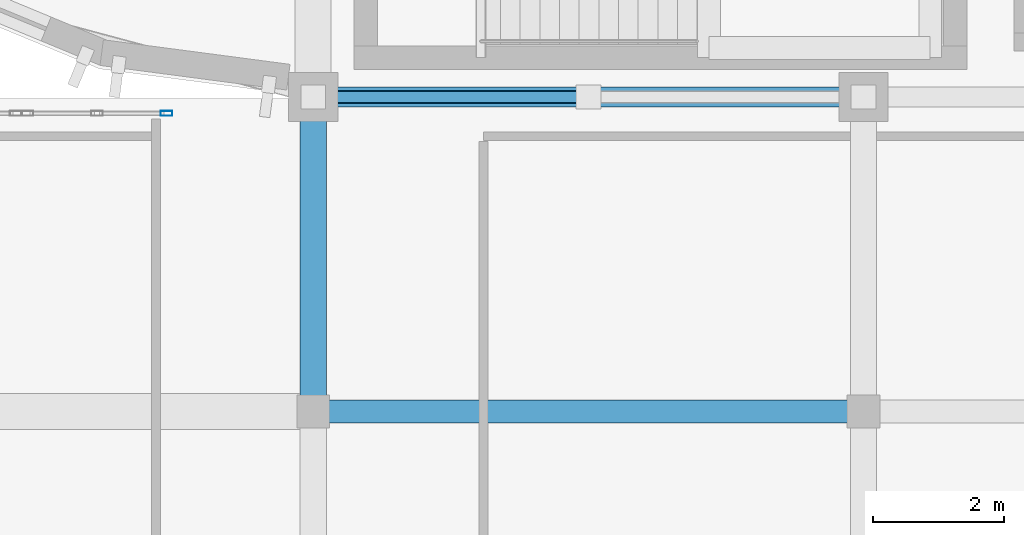
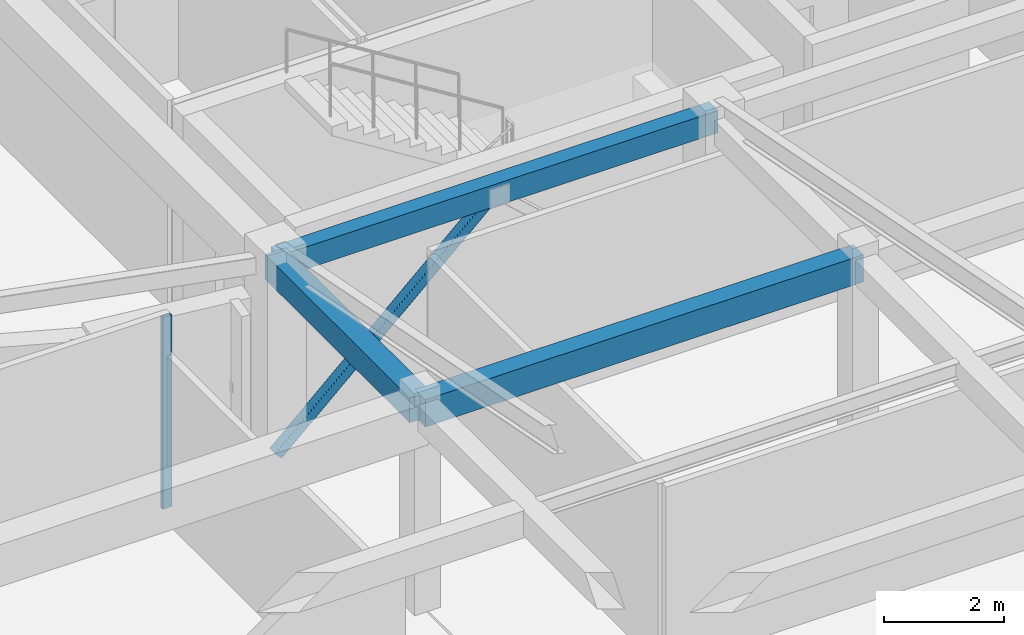
# One storey, part 38 of 91: 3 beams, 2 members, 1 element without a shape of its own.
"""IFC4 building model written with IfcOpenShell, lengths in metres."""

from ifc_helpers import new_model, si_unit, direction, frame, origin, origin_2d, place, context, subcontext, project, spatial, rectangle, hollow_rectangle, extrude, material, layer, layer_set, material_profile, profile_set, type_object, element, aggregate, save


model = new_model("IFC4")

# Units and contexts
model_context = context("Model", 3, precision=1e-05, world=origin(), true_north=direction((0.0, 1.0)))
body_context = subcontext(model_context, "Body", "Model", "MODEL_VIEW")
ifc_project = project(units=[si_unit("LENGTHUNIT", "METRE"), si_unit("AREAUNIT", "SQUARE_METRE"), si_unit("VOLUMEUNIT", "CUBIC_METRE"), si_unit("PLANEANGLEUNIT", "RADIAN"), si_unit("MASSUNIT", "GRAM", prefix="KILO")], contexts=[model_context])

# Site, building, storey
site_placement = place(None, origin())
site = spatial("IfcSite", under=ifc_project, at=site_placement, CompositionType="ELEMENT")
building_placement = place(site_placement, origin())
building = spatial("IfcBuilding", under=site, at=building_placement, Name="Tarnavel Promenade Courthouse", CompositionType="ELEMENT")
storey_placement = place(building_placement, frame((0.0, 0.0, 9.89990234375)))
storey = spatial("IfcBuildingStorey", under=building, at=storey_placement, Name="L03", CompositionType="ELEMENT", Elevation=9.89990234375)

# Beams
ifc_material_1 = material(Name="Concrete C40/50", Category="concrete")
ifc_material_profile_1 = material_profile(ifc_material_1, rectangle(XDim=0.35009765625, YDim=0.550048828125, at=origin_2d()), Name="RC 350x550")
ifc_profile_set_1 = profile_set([ifc_material_profile_1], Name="Concrete C40/50")
beam_type_1 = type_object("IfcBeamType", Name="Concrete C40/50 BM-RC-350x550 (RC 350x550)", PredefinedType="BEAM", material=ifc_profile_set_1)
beam_1_placement = place(storey_placement, frame((58.800048828125, 74.39990234375, 3.97021484375), z_axis=(1.0, 0.0, 0.0), x_axis=(0.0, 1.0, 0.0)))
element("IfcBeam", 1, at=beam_1_placement, inside=storey, type_object=beam_type_1, Name="L03 Primary Longitudinal Beam 1617", PredefinedType="BEAM", context=body_context, shape_type="SweptSolid", body=[
    extrude(rectangle(XDim=0.35009765625, YDim=0.550048828125, at=origin_2d()), origin(), (0.0, 0.0, 1.0), 8.39990234375),
])
ifc_material_profile_2 = material_profile(ifc_material_1, rectangle(XDim=0.39990234375, YDim=0.5, at=origin_2d()), Name="RC 400x500")
ifc_profile_set_2 = profile_set([ifc_material_profile_2], Name="Concrete C40/50")
beam_type_2 = type_object("IfcBeamType", Name="Concrete C40/50 BM-RC-400x500 (RC 400x500)", PredefinedType="BEAM", material=ifc_profile_set_2)
beam_2_placement = place(storey_placement, frame((58.800048828125, 74.39990234375, 3.9951171875), z_axis=(0.0, 1.0, 0.0), x_axis=(-1.0, 0.0, 0.0)))
element("IfcBeam", 2, at=beam_2_placement, inside=storey, type_object=beam_type_2, Name="L03 Transverse Girder 1740", PredefinedType="BEAM", context=body_context, shape_type="SweptSolid", body=[
    extrude(rectangle(XDim=0.39990234375, YDim=0.5, at=origin_2d()), origin(), (0.0, 0.0, 1.0), 4.800048828125),
])
ifc_material_profile_3 = material_profile(ifc_material_1, rectangle(XDim=0.300048828125, YDim=0.449951171875, at=origin_2d()), Name="RC 300x450")
ifc_profile_set_3 = profile_set([ifc_material_profile_3], Name="Concrete C40/50")
beam_type_3 = type_object("IfcBeamType", Name="Concrete C40/50 BM-SP-300x450 (RC 300x450)", PredefinedType="SPANDREL", material=ifc_profile_set_3)
beam_3_placement = place(storey_placement, frame((58.800048828125, 79.199951171875, 4.02001953125), z_axis=(1.0, 0.0, 0.0), x_axis=(0.0, 1.0, 0.0)))
element("IfcBeam", 3, at=beam_3_placement, inside=storey, type_object=beam_type_3, Name="L03 Primary Longitudinal Beam 1628", PredefinedType="SPANDREL", context=body_context, shape_type="SweptSolid", body=[
    extrude(rectangle(XDim=0.300048828125, YDim=0.449951171875, at=origin_2d()), origin(), (0.0, 0.0, 1.0), 8.39990234375),
])

# Member
ifc_material_2 = material(Name="Steel S355J2", Category="steel")
ifc_material_profile_4 = material_profile(ifc_material_2, hollow_rectangle(XDim=0.199951171875, YDim=0.199951171875, WallThickness=0.012451171875, InnerFilletRadius=0.012451171875, OuterFilletRadius=0.02490234375, at=origin_2d()), Name="SHS 200x200x12.5")
ifc_profile_set_4 = profile_set([ifc_material_profile_4], Name="Steel S355J2")
member_type_1 = type_object("IfcMemberType", Name="Steel S355J2 MEM-BR-SHS200 (SHS 200x200x12.5)", PredefinedType="BRACE", material=ifc_profile_set_4)
member_1_placement = place(storey_placement, frame((58.800048828125, 79.199951171875, 0.14501953125), z_axis=(0.737141689437, 0.0, 0.675738210918), x_axis=(0.0, 1.0, 0.0)))
element("IfcMember", 4, at=member_1_placement, inside=storey, type_object=member_type_1, Name="L03 V5 Chevron Brace A 004", PredefinedType="BRACE", context=body_context, shape_type="SweptSolid", body=[
    extrude(hollow_rectangle(XDim=0.199951171875, YDim=0.199951171875, WallThickness=0.012451171875, InnerFilletRadius=0.012451171875, OuterFilletRadius=0.02490234375, at=origin_2d()), origin(), (0.0, 0.0, 1.0), 5.697509765625),
])

# Curtain wall, member
ifc_material_3 = material(Name="Thermally Broken Anodised Aluminium Curtain Wall System", Category="aluminium")
ifc_layer = layer(ifc_material_3, 0.2099609375)
ifc_layer_set = layer_set([ifc_layer], Name="Thermally Broken Anodised Aluminium Curtain Wall System")
curtain_wall_type = type_object("IfcCurtainWallType", Name="Thermally Broken Aluminium Triple-Glazed Curtain Wall CW-WG-N", PredefinedType="NOTDEFINED", material=ifc_layer_set)
curtain_wall_placement = place(storey_placement, origin())
curtain_wall = element("IfcCurtainWall", 5, at=curtain_wall_placement, inside=storey, type_object=curtain_wall_type, Name="L03 Winter-Garden North Curtain Wall 116", PredefinedType="NOTDEFINED")
ifc_material_4 = material(Name="Thermally Broken Anodised Aluminium Frame", Category="aluminium")
ifc_material_profile_5 = material_profile(ifc_material_4, hollow_rectangle(XDim=0.080078125, YDim=0.179931640625, WallThickness=0.0048828125, InnerFilletRadius=0.0048828125, OuterFilletRadius=0.010009765625, at=origin_2d()), Name="CWM 180x80x5")
ifc_profile_set_5 = profile_set([ifc_material_profile_5], Name="Thermally Broken Anodised Aluminium Frame")
member_type_2 = type_object("IfcMemberType", Name="Thermally Broken Anodised Aluminium CWM-155 (CWM 180x80x5)", PredefinedType="MULLION", material=ifc_profile_set_5)
member_2_placement = place(storey_placement, frame((56.56005859375, 78.949951171875, 0.0), z_axis=(0.0, 0.0, 1.0), x_axis=(0.0, 1.0, 0.0)))
member_2 = element("IfcMember", 6, at=member_2_placement, type_object=member_type_2, Name="CW-03 mullion 3", PredefinedType="MULLION", context=body_context, shape_type="SweptSolid", body=[
    extrude(hollow_rectangle(XDim=0.080078125, YDim=0.179931640625, WallThickness=0.0048828125, InnerFilletRadius=0.0048828125, OuterFilletRadius=0.010009765625, at=origin_2d()), origin(), (0.0, 0.0, 1.0), 3.880126953125),
])
aggregate(curtain_wall, [member_2])

save(model, "model.ifc")
